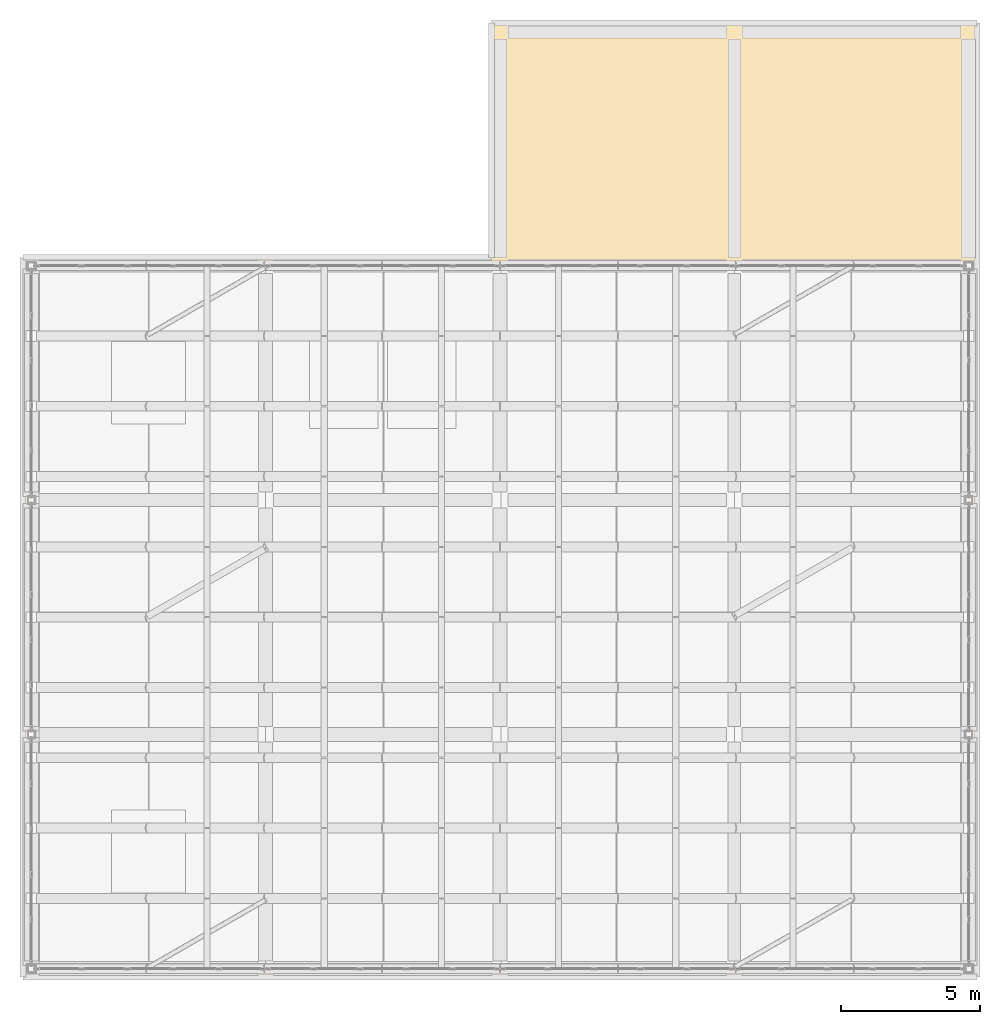
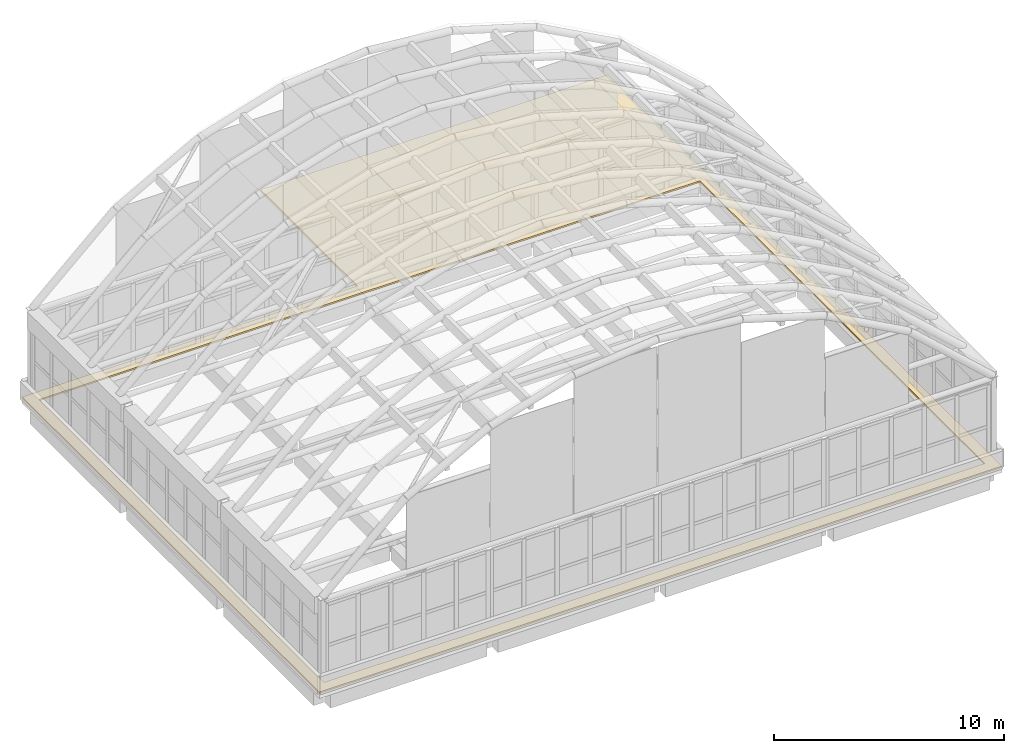
# One storey, part 26 of 26: 1 covering.
"""IFC4 building model written with IfcOpenShell, lengths in metres."""

from ifc_helpers import new_model, si_unit, direction, frame, origin, place, context, subcontext, project, spatial, polyline, outline, extrude, material, layer, layer_set, type_object, element, save


model = new_model("IFC4")

# Units and contexts
model_context = context("Model", 3, precision=1e-05, world=origin(), true_north=direction((0.0, 1.0)))
body_context = subcontext(model_context, "Body", "Model", "MODEL_VIEW")
ifc_project = project(units=[si_unit("LENGTHUNIT", "METRE"), si_unit("AREAUNIT", "SQUARE_METRE"), si_unit("VOLUMEUNIT", "CUBIC_METRE"), si_unit("PLANEANGLEUNIT", "RADIAN"), si_unit("MASSUNIT", "GRAM", prefix="KILO")], contexts=[model_context])

# Site, building, storey
site_placement = place(None, origin())
site = spatial("IfcSite", under=ifc_project, at=site_placement, CompositionType="ELEMENT")
building_placement = place(site_placement, origin())
building = spatial("IfcBuilding", under=site, at=building_placement, Name="Xazarin Passage Department Store", CompositionType="ELEMENT")
storey_placement = place(building_placement, frame((0.0, 0.0, 36.89990234375)))
storey = spatial("IfcBuildingStorey", under=building, at=storey_placement, Name="RF", CompositionType="ELEMENT", Elevation=36.89990234375)

# Covering
ifc_material = material(Name="Insulated waterproof roofing membrane")
ifc_layer = layer(ifc_material, 0.080078125)
ifc_layer_set = layer_set([ifc_layer], Name="Insulated waterproof roofing membrane")
covering_type = type_object("IfcCoveringType", Name="ARC-COV-RFG080", PredefinedType="ROOFING", material=ifc_layer_set)
covering_placement = place(storey_placement, origin())
element("IfcCovering", 1, at=covering_placement, inside=storey, type_object=covering_type, Name="RF Insulated Roofing Membrane SLB-V1-RF", PredefinedType="ROOFING", context=body_context, shape_type="SweptSolid", body=[
    extrude(outline(polyline([(16.5, 110.300048828125), (16.5, 101.89990234375), (-0.300048828125, 101.89990234375), (-0.300048828125, 76.10009765625), (33.89990234375, 76.10009765625), (33.89990234375, 110.300048828125), (16.5, 110.300048828125)]), holes=[polyline([(0.25, 76.64990234375), (0.25, 101.35009765625), (33.35009765625, 101.35009765625), (33.35009765625, 76.64990234375), (0.25, 76.64990234375)])]), origin(), (0.0, 0.0, 1.0), 0.080078125),
])

save(model, "model.ifc")
